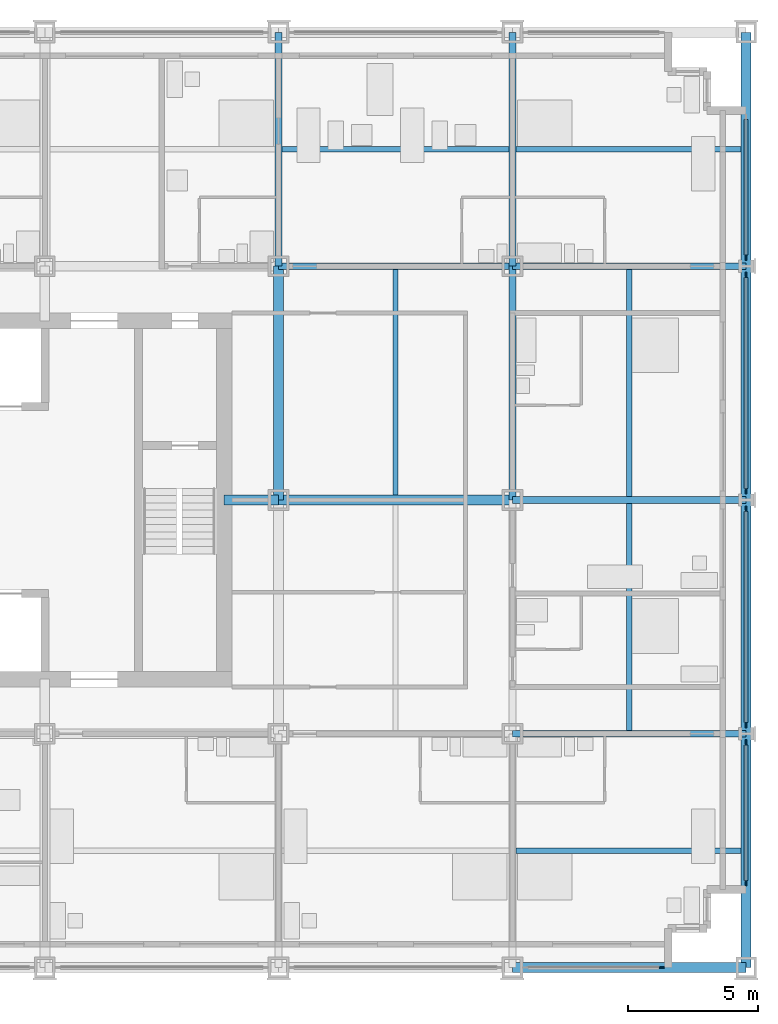
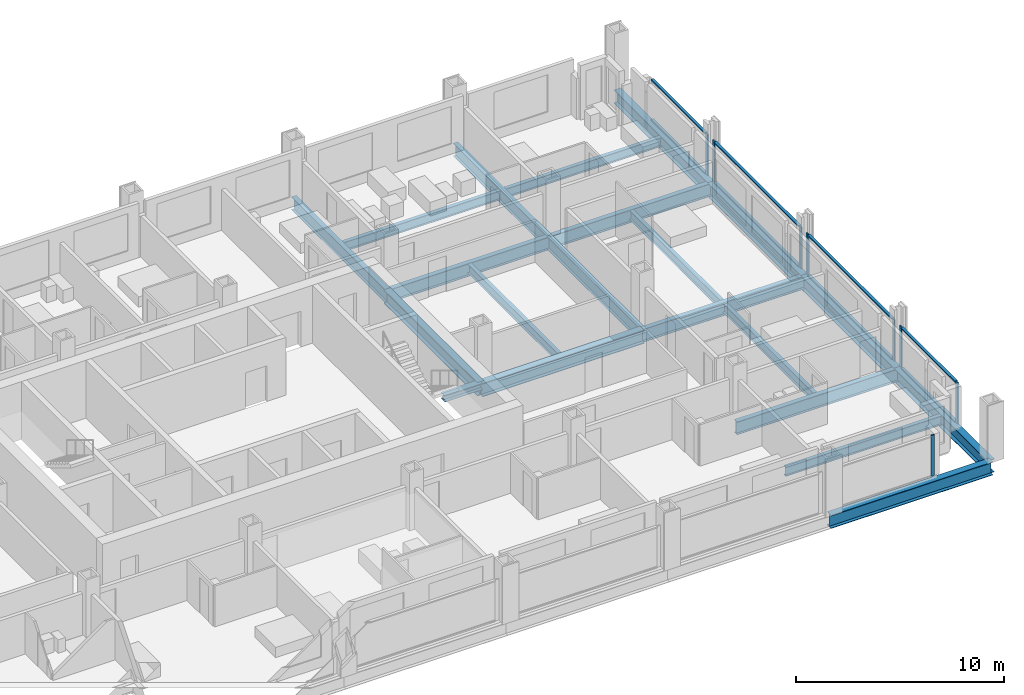
# One storey, part 6 of 18: 20 beams, 17 members, 5 elements without a shape of their own.
"""IFC4 building model written with IfcOpenShell, lengths in metres."""

from ifc_helpers import new_model, si_unit, direction, frame, origin, origin_2d, place, context, subcontext, project, spatial, rectangle, i_section, extrude, material, material_profile, profile_set, type_object, element, aggregate, save


model = new_model("IFC4")

# Units and contexts
model_context = context("Model", 3, precision=1e-05, world=origin(), true_north=direction((0.0, 1.0)))
body_context = subcontext(model_context, "Body", "Model", "MODEL_VIEW")
ifc_project = project(units=[si_unit("LENGTHUNIT", "METRE"), si_unit("AREAUNIT", "SQUARE_METRE"), si_unit("VOLUMEUNIT", "CUBIC_METRE"), si_unit("PLANEANGLEUNIT", "RADIAN"), si_unit("MASSUNIT", "GRAM", prefix="KILO")], contexts=[model_context])

# Site, building, storey
site_placement = place(None, origin())
site = spatial("IfcSite", under=ifc_project, at=site_placement, CompositionType="ELEMENT")
building_placement = place(site_placement, origin())
building = spatial("IfcBuilding", under=site, at=building_placement, Name="Loomwork Tower", CompositionType="ELEMENT")
storey_placement = place(building_placement, frame((0.0, 0.0, 45.0)))
storey = spatial("IfcBuildingStorey", under=building, at=storey_placement, Name="L10", CompositionType="ELEMENT", Elevation=45.0)

# Beams
ifc_material_1 = material(Name="Steel ASTM A992", Category="steel")
ifc_material_profile_1 = material_profile(ifc_material_1, i_section(OverallWidth=0.383544921875, OverallDepth=0.794921875, WebThickness=0.02099609375, FlangeThickness=0.0380859375, at=origin_2d()), Name="W30x235")
ifc_profile_set_1 = profile_set([ifc_material_profile_1], Name="Steel ASTM A992")
beam_type_1 = type_object("IfcBeamType", Name="CORE FLANK GIRDER W30x235", PredefinedType="BEAM", material=ifc_profile_set_1)
for number, where, z_axis, x_axis, name in (
    (1, (36.0, 18.0, -0.597412109375), (1.0, 0.0, 0.0), (0.0, 1.0, 0.0), "Core Flank Girder F/6-F/7 L10"),
    (2, (36.0, 18.0, -0.597412109375), (0.0, 1.0, 0.0), (-1.0, 0.0, 0.0), "Core Flank Girder F/6-G/6 L10"),
):
    element("IfcBeam", number, at=place(storey_placement, frame(where, z_axis=z_axis, x_axis=x_axis)), inside=storey, type_object=beam_type_1, Name=name, PredefinedType="BEAM", context=body_context, shape_type="SweptSolid", body=[
        extrude(i_section(OverallWidth=0.383544921875, OverallDepth=0.794921875, WebThickness=0.02099609375, FlangeThickness=0.0380859375, at=origin_2d()), origin(), (0.0, 0.0, 1.0), 9.0),
    ])

# Member
ifc_material_2 = material(Name="Steel ASTM A992", Category="steel")
ifc_material_profile_2 = material_profile(ifc_material_2, i_section(OverallWidth=0.373291015625, OverallDepth=0.373291015625, WebThickness=0.016357421875, FlangeThickness=0.026123046875, at=origin_2d()), Name="W14x132")
ifc_profile_set_2 = profile_set([ifc_material_profile_2], Name="Steel ASTM A992")
member_type_1 = type_object("IfcMemberType", Name="CORE LINK STRUT W14x132", PredefinedType="STRUT", material=ifc_profile_set_2)
member_1_placement = place(storey_placement, frame((36.0, 18.0, -0.38671875), z_axis=(-1.0, 0.0, 0.0), x_axis=(0.0, -1.0, 0.0)))
element("IfcMember", 3, at=member_1_placement, inside=storey, type_object=member_type_1, Name="Core link strut F/6-33.900,18.000 L10", PredefinedType="STRUT", context=body_context, shape_type="SweptSolid", body=[
    extrude(i_section(OverallWidth=0.373291015625, OverallDepth=0.373291015625, WebThickness=0.016357421875, FlangeThickness=0.026123046875, at=origin_2d()), origin(), (0.0, 0.0, 1.0), 2.10009765625),
])

# Beams
ifc_material_3 = material(Name="Steel ASTM A992", Category="steel")
ifc_material_profile_3 = material_profile(ifc_material_3, i_section(OverallWidth=0.2666015625, OverallDepth=0.761962890625, WebThickness=0.014404296875, FlangeThickness=0.021484375, at=origin_2d()), Name="W30x116")
ifc_profile_set_3 = profile_set([ifc_material_profile_3], Name="Steel ASTM A992")
beam_type_2 = type_object("IfcBeamType", Name="FLOOR GIRDER W30x116", PredefinedType="BEAM", material=ifc_profile_set_3)
for number, where, z_axis, x_axis, name in (
    (4, (45.0, 9.0, -0.5810546875), (1.0, 0.0, 0.0), (0.0, 1.0, 0.0), "Floor Girder E/7-E/8 L10"),
    (5, (45.0, 18.0, -0.5810546875), (1.0, 0.0, 0.0), (0.0, 1.0, 0.0), "Floor Girder F/7-F/8 L10"),
    (6, (36.0, 27.0, -0.5810546875), (1.0, 0.0, 0.0), (0.0, 1.0, 0.0), "Floor Girder G/6-G/7 L10"),
    (7, (45.0, 27.0, -0.5810546875), (1.0, 0.0, 0.0), (0.0, 1.0, 0.0), "Floor Girder G/7-G/8 L10"),
    (8, (36.0, 27.0, -0.5810546875), (0.0, 1.0, 0.0), (-1.0, 0.0, 0.0), "Floor Girder G/6-H/6 L10"),
    (9, (45.0, 18.0, -0.5810546875), (0.0, 1.0, 0.0), (-1.0, 0.0, 0.0), "Floor Girder F/7-G/7 L10"),
    (10, (45.0, 27.0, -0.5810546875), (0.0, 1.0, 0.0), (-1.0, 0.0, 0.0), "Floor Girder G/7-H/7 L10"),
):
    element("IfcBeam", number, at=place(storey_placement, frame(where, z_axis=z_axis, x_axis=x_axis)), inside=storey, type_object=beam_type_2, Name=name, PredefinedType="BEAM", context=body_context, shape_type="SweptSolid", body=[
        extrude(i_section(OverallWidth=0.2666015625, OverallDepth=0.761962890625, WebThickness=0.014404296875, FlangeThickness=0.021484375, at=origin_2d()), origin(), (0.0, 0.0, 1.0), 9.0),
    ])
ifc_material_4 = material(Name="Steel ASTM A992", Category="steel")
ifc_material_profile_4 = material_profile(ifc_material_4, i_section(OverallWidth=0.2109375, OverallDepth=0.53857421875, WebThickness=0.011474609375, FlangeThickness=0.018798828125, at=origin_2d()), Name="W21x73")
ifc_profile_set_4 = profile_set([ifc_material_profile_4], Name="Steel ASTM A992")
beam_type_3 = type_object("IfcBeamType", Name="FLOOR JOIST W21x73", PredefinedType="JOIST", material=ifc_profile_set_4)
beam_1_placement = place(storey_placement, frame((40.5, 18.19091796875, -0.46923828125), z_axis=(0.0, 1.0, 0.0), x_axis=(-1.0, 0.0, 0.0)))
element("IfcBeam", 11, at=beam_1_placement, inside=storey, type_object=beam_type_3, Name="Floor Joist 40.500,18.000-40.500,27.000 L10", PredefinedType="JOIST", context=body_context, shape_type="SweptSolid", body=[
    extrude(i_section(OverallWidth=0.2109375, OverallDepth=0.53857421875, WebThickness=0.011474609375, FlangeThickness=0.018798828125, at=origin_2d()), origin(), (0.0, 0.0, 1.0), 8.676025390625),
])
beam_2_placement = place(storey_placement, frame((36.133056640625, 31.5, -0.46923828125), z_axis=(1.0, 0.0, 0.0), x_axis=(0.0, 1.0, 0.0)))
element("IfcBeam", 12, at=beam_2_placement, inside=storey, type_object=beam_type_3, Name="Floor Joist 36.000,31.500-45.000,31.500 L10", PredefinedType="JOIST", context=body_context, shape_type="SweptSolid", body=[
    extrude(i_section(OverallWidth=0.2109375, OverallDepth=0.53857421875, WebThickness=0.011474609375, FlangeThickness=0.018798828125, at=origin_2d()), origin(), (0.0, 0.0, 1.0), 8.73388671875),
])
beam_3_placement = place(storey_placement, frame((45.133056640625, 4.5, -0.46923828125), z_axis=(1.0, 0.0, 0.0), x_axis=(0.0, 1.0, 0.0)))
element("IfcBeam", 13, at=beam_3_placement, inside=storey, type_object=beam_type_3, Name="Floor Joist 45.000,4.500-54.000,4.500 L10", PredefinedType="JOIST", context=body_context, shape_type="SweptSolid", body=[
    extrude(i_section(OverallWidth=0.2109375, OverallDepth=0.53857421875, WebThickness=0.011474609375, FlangeThickness=0.018798828125, at=origin_2d()), origin(), (0.0, 0.0, 1.0), 8.677001953125),
])
for number, where, z_axis, x_axis, name in (
    (14, (49.5, 9.133056640625, -0.46923828125), (0.0, 1.0, 0.0), (-1.0, 0.0, 0.0), "Floor Joist 49.500,9.000-49.500,18.000 L10"),
    (15, (49.5, 18.133056640625, -0.46923828125), (0.0, 1.0, 0.0), (-1.0, 0.0, 0.0), "Floor Joist 49.500,18.000-49.500,27.000 L10"),
):
    element("IfcBeam", number, at=place(storey_placement, frame(where, z_axis=z_axis, x_axis=x_axis)), inside=storey, type_object=beam_type_3, Name=name, PredefinedType="JOIST", context=body_context, shape_type="SweptSolid", body=[
        extrude(i_section(OverallWidth=0.2109375, OverallDepth=0.53857421875, WebThickness=0.011474609375, FlangeThickness=0.018798828125, at=origin_2d()), origin(), (0.0, 0.0, 1.0), 8.73388671875),
    ])
beam_4_placement = place(storey_placement, frame((45.133056640625, 31.5, -0.46923828125), z_axis=(1.0, 0.0, 0.0), x_axis=(0.0, 1.0, 0.0)))
element("IfcBeam", 16, at=beam_4_placement, inside=storey, type_object=beam_type_3, Name="Floor Joist 45.000,31.500-54.000,31.500 L10", PredefinedType="JOIST", context=body_context, shape_type="SweptSolid", body=[
    extrude(i_section(OverallWidth=0.2109375, OverallDepth=0.53857421875, WebThickness=0.011474609375, FlangeThickness=0.018798828125, at=origin_2d()), origin(), (0.0, 0.0, 1.0), 8.677001953125),
])

# Curtain wall, member
ifc_material_5 = material(Name="Aluminium curtain wall frame", Category="aluminium")
curtain_wall_type = type_object("IfcCurtainWallType", Name="Outer skin glazing hotel", PredefinedType="NOTDEFINED", material=ifc_material_5)
curtain_wall_1_placement = place(storey_placement, origin())
curtain_wall_1 = element("IfcCurtainWall", 17, at=curtain_wall_1_placement, inside=storey, type_object=curtain_wall_type, Name="Outer skin glazing hotel cw/S-45", PredefinedType="NOTDEFINED")
ifc_material_6 = material(Name="Aluminium curtain wall frame", Category="aluminium")
ifc_material_profile_5 = material_profile(ifc_material_6, rectangle(XDim=0.06494140625, YDim=0.199951171875, at=origin_2d()), Name="AL 65x200")
ifc_profile_set_5 = profile_set([ifc_material_profile_5], Name="Aluminium curtain wall frame")
member_type_2 = type_object("IfcMemberType", Name="Outer skin glazing hotel mullion", PredefinedType="MULLION", material=ifc_profile_set_5)
member_2_placement = place(storey_placement, frame((50.75, 0.0, 0.0), z_axis=(0.0, 0.0, 1.0), x_axis=(0.0, 1.0, 0.0)))
member_2 = element("IfcMember", 18, at=member_2_placement, type_object=member_type_2, Name="CW1 mullion 2", PredefinedType="MULLION", context=body_context, shape_type="SweptSolid", body=[
    extrude(rectangle(XDim=0.06494140625, YDim=0.199951171875, at=origin_2d()), origin(), (0.0, 0.0, 1.0), 2.420166015625),
])
aggregate(curtain_wall_1, [member_2])

# Curtain wall, members
curtain_wall_2_placement = place(storey_placement, origin())
curtain_wall_2 = element("IfcCurtainWall", 19, at=curtain_wall_2_placement, inside=storey, type_object=curtain_wall_type, Name="Outer skin glazing hotel cw/E-0", PredefinedType="NOTDEFINED")
member_3_placement = place(storey_placement, frame((54.0, 3.25, 0.0), z_axis=(0.0, 0.0, 1.0), x_axis=(-1.0, 0.0, 0.0)))
member_3 = element("IfcMember", 20, at=member_3_placement, type_object=member_type_2, Name="CW1 mullion 1", PredefinedType="MULLION", context=body_context, shape_type="SweptSolid", body=[
    extrude(rectangle(XDim=0.06494140625, YDim=0.199951171875, at=origin_2d()), origin(), (0.0, 0.0, 1.0), 2.420166015625),
])
member_4_placement = place(storey_placement, frame((54.0, 8.6611328125, 0.0), z_axis=(0.0, 0.0, 1.0), x_axis=(-1.0, 0.0, 0.0)))
member_4 = element("IfcMember", 21, at=member_4_placement, type_object=member_type_2, Name="CW1 mullion 2", PredefinedType="MULLION", context=body_context, shape_type="SweptSolid", body=[
    extrude(rectangle(XDim=0.06494140625, YDim=0.199951171875, at=origin_2d()), origin(), (0.0, 0.0, 1.0), 2.420166015625),
])

curtain_wall_3_placement = place(storey_placement, origin())
curtain_wall_3 = element("IfcCurtainWall", 22, at=curtain_wall_3_placement, inside=storey, type_object=curtain_wall_type, Name="Outer skin glazing hotel cw/E-9", PredefinedType="NOTDEFINED")
member_5_placement = place(storey_placement, frame((54.0, 9.3388671875, 0.0), z_axis=(0.0, 0.0, 1.0), x_axis=(-1.0, 0.0, 0.0)))
member_5 = element("IfcMember", 23, at=member_5_placement, type_object=member_type_2, Name="CW1 mullion 1", PredefinedType="MULLION", context=body_context, shape_type="SweptSolid", body=[
    extrude(rectangle(XDim=0.06494140625, YDim=0.199951171875, at=origin_2d()), origin(), (0.0, 0.0, 1.0), 2.420166015625),
])
member_6_placement = place(storey_placement, frame((54.0, 17.6611328125, 0.0), z_axis=(0.0, 0.0, 1.0), x_axis=(-1.0, 0.0, 0.0)))
member_6 = element("IfcMember", 24, at=member_6_placement, type_object=member_type_2, Name="CW1 mullion 2", PredefinedType="MULLION", context=body_context, shape_type="SweptSolid", body=[
    extrude(rectangle(XDim=0.06494140625, YDim=0.199951171875, at=origin_2d()), origin(), (0.0, 0.0, 1.0), 2.420166015625),
])

curtain_wall_4_placement = place(storey_placement, origin())
curtain_wall_4 = element("IfcCurtainWall", 25, at=curtain_wall_4_placement, inside=storey, type_object=curtain_wall_type, Name="Outer skin glazing hotel cw/E-18", PredefinedType="NOTDEFINED")
member_7_placement = place(storey_placement, frame((54.0, 18.3388671875, 0.0), z_axis=(0.0, 0.0, 1.0), x_axis=(-1.0, 0.0, 0.0)))
member_7 = element("IfcMember", 26, at=member_7_placement, type_object=member_type_2, Name="CW1 mullion 1", PredefinedType="MULLION", context=body_context, shape_type="SweptSolid", body=[
    extrude(rectangle(XDim=0.06494140625, YDim=0.199951171875, at=origin_2d()), origin(), (0.0, 0.0, 1.0), 2.420166015625),
])
member_8_placement = place(storey_placement, frame((54.0, 26.6611328125, 0.0), z_axis=(0.0, 0.0, 1.0), x_axis=(-1.0, 0.0, 0.0)))
member_8 = element("IfcMember", 27, at=member_8_placement, type_object=member_type_2, Name="CW1 mullion 2", PredefinedType="MULLION", context=body_context, shape_type="SweptSolid", body=[
    extrude(rectangle(XDim=0.06494140625, YDim=0.199951171875, at=origin_2d()), origin(), (0.0, 0.0, 1.0), 2.420166015625),
])

# Curtain wall, member
curtain_wall_5_placement = place(storey_placement, origin())
curtain_wall_5 = element("IfcCurtainWall", 28, at=curtain_wall_5_placement, inside=storey, type_object=curtain_wall_type, Name="Outer skin glazing hotel cw/E-27", PredefinedType="NOTDEFINED")
member_9_placement = place(storey_placement, frame((54.0, 27.3388671875, 0.0), z_axis=(0.0, 0.0, 1.0), x_axis=(-1.0, 0.0, 0.0)))
member_9 = element("IfcMember", 29, at=member_9_placement, type_object=member_type_2, Name="CW1 mullion 1", PredefinedType="MULLION", context=body_context, shape_type="SweptSolid", body=[
    extrude(rectangle(XDim=0.06494140625, YDim=0.199951171875, at=origin_2d()), origin(), (0.0, 0.0, 1.0), 2.420166015625),
])

# Member
ifc_material_7 = material(Name="Aluminium curtain wall frame", Category="aluminium")
ifc_material_profile_6 = material_profile(ifc_material_7, rectangle(XDim=0.14990234375, YDim=0.06494140625, at=origin_2d()), Name="AL 65x150")
ifc_profile_set_6 = profile_set([ifc_material_profile_6], Name="Aluminium curtain wall frame")
member_type_3 = type_object("IfcMemberType", Name="Outer skin glazing hotel transom", PredefinedType="USERDEFINED", material=ifc_profile_set_6)
member_10_placement = place(storey_placement, frame((54.0, 3.35009765625, 0.032470703125), z_axis=(0.0, 1.0, 0.0), x_axis=(-1.0, 0.0, 0.0)))
member_10 = element("IfcMember", 30, at=member_10_placement, type_object=member_type_3, Name="CW1 transom 1.1", ObjectType="TRANSOM", PredefinedType="USERDEFINED", context=body_context, shape_type="SweptSolid", body=[
    extrude(rectangle(XDim=0.14990234375, YDim=0.06494140625, at=origin_2d()), origin(), (0.0, 0.0, 1.0), 5.211181640625),
])

member_11_placement = place(storey_placement, frame((54.0, 3.35009765625, 2.3876953125), z_axis=(0.0, 1.0, 0.0), x_axis=(-1.0, 0.0, 0.0)))
member_11 = element("IfcMember", 31, at=member_11_placement, type_object=member_type_3, Name="CW1 transom 1.2", ObjectType="TRANSOM", PredefinedType="USERDEFINED", context=body_context, shape_type="SweptSolid", body=[
    extrude(rectangle(XDim=0.14990234375, YDim=0.06494140625, at=origin_2d()), origin(), (0.0, 0.0, 1.0), 5.211181640625),
])

aggregate(curtain_wall_2, [member_3, member_4, member_10, member_11])

member_12_placement = place(storey_placement, frame((54.0, 9.438720703125, 0.032470703125), z_axis=(0.0, 1.0, 0.0), x_axis=(-1.0, 0.0, 0.0)))
member_12 = element("IfcMember", 32, at=member_12_placement, type_object=member_type_3, Name="CW1 transom 1.1", ObjectType="TRANSOM", PredefinedType="USERDEFINED", context=body_context, shape_type="SweptSolid", body=[
    extrude(rectangle(XDim=0.14990234375, YDim=0.06494140625, at=origin_2d()), origin(), (0.0, 0.0, 1.0), 8.12255859375),
])

member_13_placement = place(storey_placement, frame((54.0, 9.438720703125, 2.3876953125), z_axis=(0.0, 1.0, 0.0), x_axis=(-1.0, 0.0, 0.0)))
member_13 = element("IfcMember", 33, at=member_13_placement, type_object=member_type_3, Name="CW1 transom 1.2", ObjectType="TRANSOM", PredefinedType="USERDEFINED", context=body_context, shape_type="SweptSolid", body=[
    extrude(rectangle(XDim=0.14990234375, YDim=0.06494140625, at=origin_2d()), origin(), (0.0, 0.0, 1.0), 8.12255859375),
])

aggregate(curtain_wall_3, [member_5, member_6, member_12, member_13])

member_14_placement = place(storey_placement, frame((54.0, 18.438720703125, 0.032470703125), z_axis=(0.0, 1.0, 0.0), x_axis=(-1.0, 0.0, 0.0)))
member_14 = element("IfcMember", 34, at=member_14_placement, type_object=member_type_3, Name="CW1 transom 1.1", ObjectType="TRANSOM", PredefinedType="USERDEFINED", context=body_context, shape_type="SweptSolid", body=[
    extrude(rectangle(XDim=0.14990234375, YDim=0.06494140625, at=origin_2d()), origin(), (0.0, 0.0, 1.0), 8.12255859375),
])

member_15_placement = place(storey_placement, frame((54.0, 18.438720703125, 2.3876953125), z_axis=(0.0, 1.0, 0.0), x_axis=(-1.0, 0.0, 0.0)))
member_15 = element("IfcMember", 35, at=member_15_placement, type_object=member_type_3, Name="CW1 transom 1.2", ObjectType="TRANSOM", PredefinedType="USERDEFINED", context=body_context, shape_type="SweptSolid", body=[
    extrude(rectangle(XDim=0.14990234375, YDim=0.06494140625, at=origin_2d()), origin(), (0.0, 0.0, 1.0), 8.12255859375),
])

aggregate(curtain_wall_4, [member_7, member_8, member_14, member_15])

member_16_placement = place(storey_placement, frame((54.0, 27.438720703125, 0.032470703125), z_axis=(0.0, 1.0, 0.0), x_axis=(-1.0, 0.0, 0.0)))
member_16 = element("IfcMember", 36, at=member_16_placement, type_object=member_type_3, Name="CW1 transom 1.1", ObjectType="TRANSOM", PredefinedType="USERDEFINED", context=body_context, shape_type="SweptSolid", body=[
    extrude(rectangle(XDim=0.14990234375, YDim=0.06494140625, at=origin_2d()), origin(), (0.0, 0.0, 1.0), 5.211181640625),
])

member_17_placement = place(storey_placement, frame((54.0, 27.438720703125, 2.3876953125), z_axis=(0.0, 1.0, 0.0), x_axis=(-1.0, 0.0, 0.0)))
member_17 = element("IfcMember", 37, at=member_17_placement, type_object=member_type_3, Name="CW1 transom 1.2", ObjectType="TRANSOM", PredefinedType="USERDEFINED", context=body_context, shape_type="SweptSolid", body=[
    extrude(rectangle(XDim=0.14990234375, YDim=0.06494140625, at=origin_2d()), origin(), (0.0, 0.0, 1.0), 5.211181640625),
])

aggregate(curtain_wall_5, [member_9, member_16, member_17])

# Beams
ifc_material_8 = material(Name="Steel ASTM A992", Category="steel")
ifc_material_profile_7 = material_profile(ifc_material_8, i_section(OverallWidth=0.381103515625, OverallDepth=0.77978515625, WebThickness=0.01806640625, FlangeThickness=0.0302734375, at=origin_2d()), Name="W30x191")
ifc_profile_set_7 = profile_set([ifc_material_profile_7], Name="Steel ASTM A992")
beam_type_4 = type_object("IfcBeamType", Name="SPANDREL GIRDER W30x191", PredefinedType="SPANDREL", material=ifc_profile_set_7)
for number, where, z_axis, x_axis, name in (
    (38, (45.0, 0.0, -0.58984375), (1.0, 0.0, 0.0), (0.0, 1.0, 0.0), "Spandrel Girder D/7-D/8 L10"),
    (39, (54.0, 0.0, -0.58984375), (0.0, 1.0, 0.0), (-1.0, 0.0, 0.0), "Spandrel Girder D/8-E/8 L10"),
    (40, (54.0, 9.0, -0.58984375), (0.0, 1.0, 0.0), (-1.0, 0.0, 0.0), "Spandrel Girder E/8-F/8 L10"),
    (41, (54.0, 18.0, -0.58984375), (0.0, 1.0, 0.0), (-1.0, 0.0, 0.0), "Spandrel Girder F/8-G/8 L10"),
    (42, (54.0, 27.0, -0.58984375), (0.0, 1.0, 0.0), (-1.0, 0.0, 0.0), "Spandrel Girder G/8-H/8 L10"),
):
    element("IfcBeam", number, at=place(storey_placement, frame(where, z_axis=z_axis, x_axis=x_axis)), inside=storey, type_object=beam_type_4, Name=name, PredefinedType="SPANDREL", context=body_context, shape_type="SweptSolid", body=[
        extrude(i_section(OverallWidth=0.381103515625, OverallDepth=0.77978515625, WebThickness=0.01806640625, FlangeThickness=0.0302734375, at=origin_2d()), origin(), (0.0, 0.0, 1.0), 9.0),
    ])

save(model, "model.ifc")
